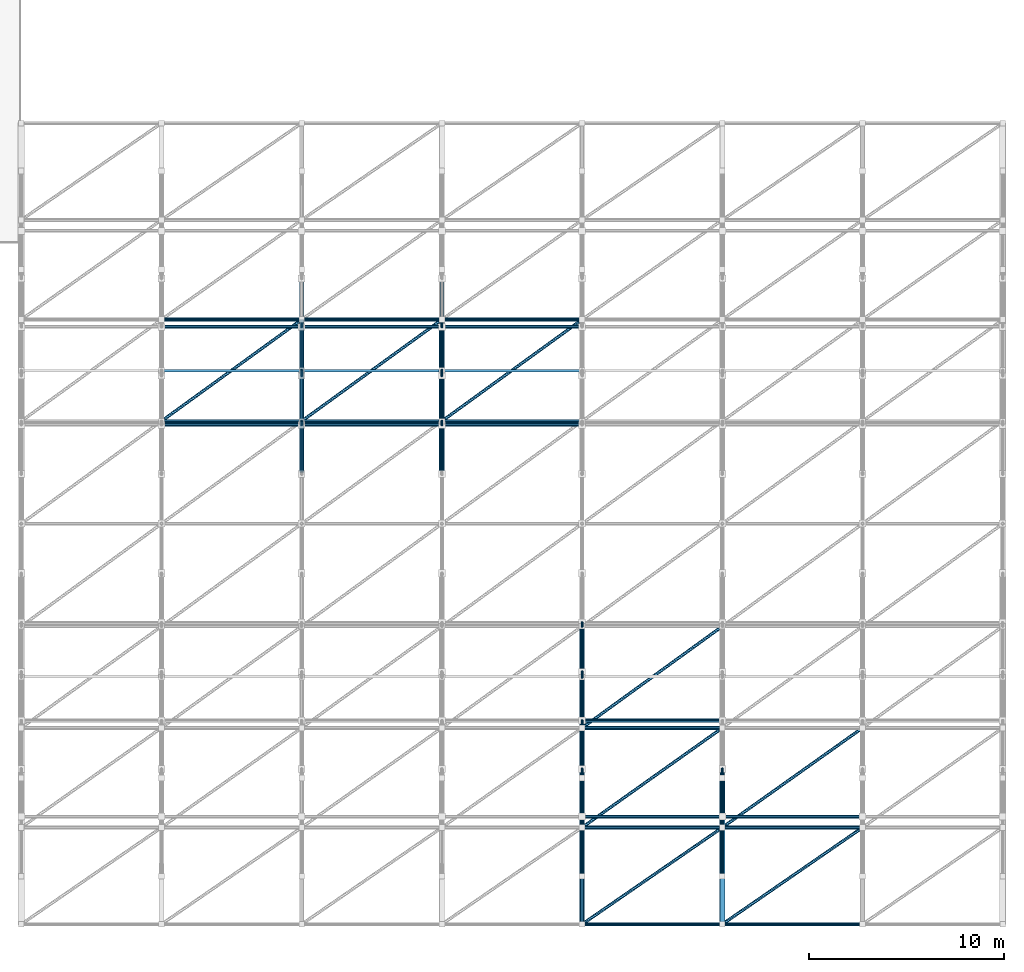
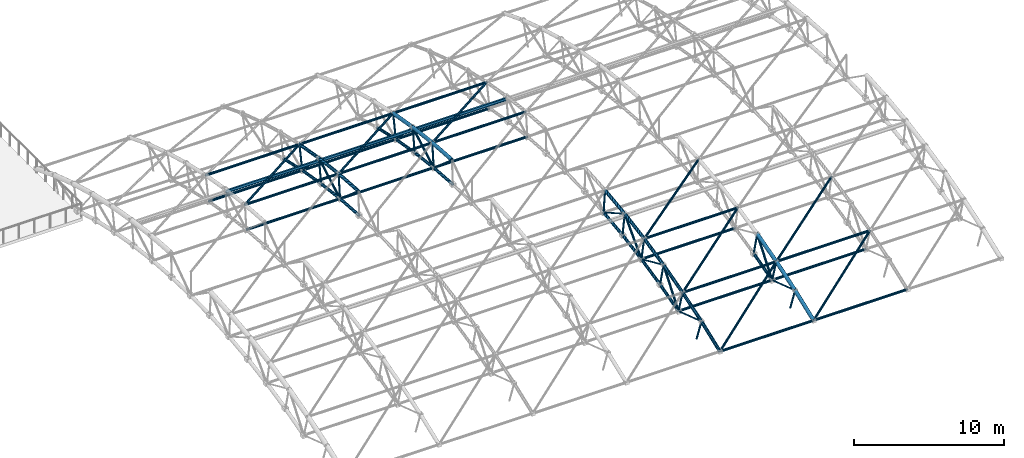
# One storey, part 17 of 41: 87 members.
"""IFC4 building model written with IfcOpenShell, lengths in metres."""

import ifcopenshell
import ifcopenshell.guid

model = None  # the IFC model being written
_history = None  # IfcOwnerHistory: only IFC2X3 demands one
_inside = {}  # id of a spatial element -> (the spatial element, [elements in it])
_under = {}  # id of a project, library or spatial element -> (it, [spatial elements below it])
_declared = {}  # id of a project -> (the project, [libraries it declares])
_typed = {}  # id of a type object -> (the type object, [elements of that type])
_made_of = {}  # id of a material, layer set ... -> (it, [elements and type objects made of it])


def new_model(schema):
    """Start an empty IFC model of exactly this schema.

    Asked for "IFC4X3", IfcOpenShell would pick the latest addendum, in which some entities
    have other attributes; the version numbers below select the first issue.
    IFC2X3 requires an IfcOwnerHistory on every rooted entity: one is made here for all.
    """
    global model, _history
    if schema == "IFC4X3":
        model = ifcopenshell.file(schema_version=(4, 3, 0, 0))
    else:
        model = ifcopenshell.file(schema=schema)
    _inside.clear()
    _under.clear()
    _declared.clear()
    _typed.clear()
    _made_of.clear()
    _history = None
    if model.schema == "IFC2X3":
        org = make("IfcOrganization", Name="unknown")
        user = make(
            "IfcPersonAndOrganization",
            ThePerson=make("IfcPerson", FamilyName="unknown"),
            TheOrganization=org,
        )
        app = make(
            "IfcApplication",
            ApplicationDeveloper=org,
            Version="unknown",
            ApplicationFullName="unknown",
            ApplicationIdentifier="unknown",
        )
        _history = make(
            "IfcOwnerHistory",
            OwningUser=user,
            OwningApplication=app,
            ChangeAction="ADDED",
            CreationDate=0,
        )
    return model


def make(cls, **values):
    """One entity of the class cls with the attributes given. An attribute that is None is left unset."""
    return model.create_entity(
        cls, **{name: value for name, value in values.items() if value is not None}
    )


def rooted(cls, **values):
    """An entity with a GlobalId (a new one), such as an element, a storey or a relation."""
    return make(cls, GlobalId=ifcopenshell.guid.new(), OwnerHistory=_history, **values)


def si_unit(unit_type, name, prefix=None):
    """IfcSIUnit, for example si_unit("LENGTHUNIT", "METRE", prefix="MILLI")."""
    return make("IfcSIUnit", UnitType=unit_type, Prefix=prefix, Name=name)


def assignment(units):
    """IfcUnitAssignment: the units of a project."""
    return None if units is None else make("IfcUnitAssignment", Units=units)


def point(xyz):
    """IfcCartesianPoint."""
    return None if xyz is None else make("IfcCartesianPoint", Coordinates=xyz)


def direction(xyz):
    """IfcDirection."""
    return None if xyz is None else make("IfcDirection", DirectionRatios=xyz)


def frame(location, z_axis=None, x_axis=None):
    """IfcAxis2Placement3D, a coordinate frame: its origin and axes. An axis left out is left unset."""
    return make(
        "IfcAxis2Placement3D",
        Location=point(location),
        Axis=direction(z_axis),
        RefDirection=direction(x_axis),
    )


def frame_2d(location, x_axis=None):
    """IfcAxis2Placement2D, a coordinate frame in the plane: its origin and x axis."""
    return make(
        "IfcAxis2Placement2D", Location=point(location), RefDirection=direction(x_axis)
    )


def origin():
    """The frame at (0, 0, 0) with its axes left unset."""
    return frame((0.0, 0.0, 0.0))


def origin_2d():
    """The frame at (0, 0) in the plane with its x axis left unset."""
    return frame_2d((0.0, 0.0))


def place(relative_to, where):
    """IfcLocalPlacement: puts the frame where relative to a parent placement (None: the world)."""
    return make(
        "IfcLocalPlacement", PlacementRelTo=relative_to, RelativePlacement=where
    )


def context(
    kind, dimensions, precision=None, world=None, true_north=None, identifier=None
):
    """IfcGeometricRepresentationContext, for example the 3D "Model" context."""
    return make(
        "IfcGeometricRepresentationContext",
        ContextIdentifier=identifier,
        ContextType=kind,
        CoordinateSpaceDimension=dimensions,
        Precision=precision,
        WorldCoordinateSystem=world,
        TrueNorth=true_north,
    )


def subcontext(parent, identifier, kind, view, scale=None):
    """IfcGeometricRepresentationSubContext, for example "Body" below "Model"."""
    return make(
        "IfcGeometricRepresentationSubContext",
        ContextIdentifier=identifier,
        ContextType=kind,
        ParentContext=parent,
        TargetScale=scale,
        TargetView=view,
    )


def project(units=None, contexts=None):
    """IfcProject with its units and contexts."""
    return rooted(
        "IfcProject",
        Name="project",
        RepresentationContexts=contexts,
        UnitsInContext=assignment(units),
    )


def spatial(cls, under=None, at=None, **own):
    """A site, building, storey or space (cls), placed at a placement, below another one or the project."""
    s = rooted(cls, ObjectPlacement=at, **own)
    if under is not None:
        _under.setdefault(under.id(), (under, []))[1].append(s)
    return s


def profile(cls, at=None, kind="AREA", **sizes):
    """A parametric profile (cls). Its sizes go by their IFC names, for example OverallWidth=200.0."""
    return make(cls, ProfileType=kind, Position=at, **sizes)


def hollow_circle(**sizes):
    """IfcCircleHollowProfileDef."""
    return profile("IfcCircleHollowProfileDef", **sizes)


def i_section(**sizes):
    """IfcIShapeProfileDef."""
    return profile("IfcIShapeProfileDef", **sizes)


def extrude(swept, where, along, depth):
    """IfcExtrudedAreaSolid: the profile swept, set in the frame where, extruded along a direction by depth."""
    return make(
        "IfcExtrudedAreaSolid",
        SweptArea=swept,
        Position=where,
        ExtrudedDirection=direction(along),
        Depth=depth,
    )


def shape(context_of_items, identifier, shape_type, items):
    """IfcShapeRepresentation: the items that make up one representation, for example the "Body"."""
    return make(
        "IfcShapeRepresentation",
        ContextOfItems=context_of_items,
        RepresentationIdentifier=identifier,
        RepresentationType=shape_type,
        Items=items,
    )


def material(Name=None, Category=None):
    """IfcMaterial."""
    return make("IfcMaterial", Name=Name, Category=Category)


def material_profile(
    of_material, cross_section, Name=None, Category=None, Priority=None
):
    """IfcMaterialProfile: a cross section and its material."""
    return make(
        "IfcMaterialProfile",
        Name=Name,
        Material=of_material,
        Profile=cross_section,
        Priority=Priority,
        Category=Category,
    )


def profile_set(profiles, Name=None, composite=None):
    """IfcMaterialProfileSet."""
    return make(
        "IfcMaterialProfileSet",
        Name=Name,
        MaterialProfiles=profiles,
        CompositeProfile=composite,
    )


def made_of(thing, what):
    """Note that an element or type object is made of a material, layer set ...; save() writes the relation."""
    if what is not None:
        _made_of.setdefault(what.id(), (what, []))[1].append(thing)
    return thing


def type_object(cls, material=None, **own):
    """A type object (cls), such as IfcWallType, which elements share."""
    return made_of(rooted(cls, **own), material)


def element(
    cls,
    number,
    at=None,
    inside=None,
    cuts=None,
    type_object=None,
    material=None,
    context=None,
    identifier="Body",
    shape_type=None,
    held_by="IfcProductDefinitionShape",
    body=None,
    shapes=None,
    **own,
):
    """One element of the class cls, such as IfcWall. Its Tag is "e" and its number.

    at: its placement. inside: the storey or other place that contains it. cuts: it is an
    opening in that element (IfcRelVoidsElement). A single representation is given by context,
    identifier, shape_type and body (its items); several are given by shapes. held_by: the class
    of the entity that holds the representations. save() writes the other relations.
    """
    e = rooted(cls, Tag="e%d" % number, ObjectPlacement=at, **own)
    if body is not None:
        shapes = [shape(context, identifier, shape_type, body)]
    if shapes is not None:
        e.Representation = make(held_by, Representations=shapes)
    if inside is not None:
        _inside.setdefault(inside.id(), (inside, []))[1].append(e)
    if cuts is not None:
        rooted(
            "IfcRelVoidsElement", RelatingBuildingElement=cuts, RelatedOpeningElement=e
        )
    if type_object is not None:
        _typed.setdefault(type_object.id(), (type_object, []))[1].append(e)
    return made_of(e, material)


def aggregate(whole, parts):
    """IfcRelAggregates: a whole, such as a stair, and the parts it consists of."""
    return rooted("IfcRelAggregates", RelatingObject=whole, RelatedObjects=parts)


def save(model, path):
    """Write the relations noted so far, then the file.

    IfcRelAggregates (storeys below a building ...), IfcRelContainedInSpatialStructure (elements
    in a storey), IfcRelDefinesByType, IfcRelAssociatesMaterial and IfcRelDeclares: one each for
    every whole, place, type object, material and project.
    """
    for whole, parts in _under.values():
        aggregate(whole, parts)
    for where, things in _inside.values():
        rooted(
            "IfcRelContainedInSpatialStructure",
            RelatedElements=things,
            RelatingStructure=where,
        )
    for kind, things in _typed.values():
        rooted("IfcRelDefinesByType", RelatedObjects=things, RelatingType=kind)
    for what, things in _made_of.values():
        rooted("IfcRelAssociatesMaterial", RelatedObjects=things, RelatingMaterial=what)
    for by, libraries in _declared.values():
        rooted("IfcRelDeclares", RelatingContext=by, RelatedDefinitions=libraries)
    model.write(path)


model = new_model("IFC4")

# Units and contexts
model_context = context("Model", 3, precision=1e-05, world=origin(), true_north=direction((0.0, 1.0)))
body_context = subcontext(model_context, "Body", "Model", "MODEL_VIEW")
ifc_project = project(units=[si_unit("LENGTHUNIT", "METRE"), si_unit("AREAUNIT", "SQUARE_METRE"), si_unit("VOLUMEUNIT", "CUBIC_METRE"), si_unit("PLANEANGLEUNIT", "RADIAN"), si_unit("MASSUNIT", "GRAM", prefix="KILO")], contexts=[model_context])

# Site, building, storey
site_placement = place(None, origin())
site = spatial("IfcSite", under=ifc_project, at=site_placement, CompositionType="ELEMENT")
building_placement = place(site_placement, origin())
building = spatial("IfcBuilding", under=site, at=building_placement, Name="Malvenik Polytechnic", CompositionType="ELEMENT")
storey_placement = place(building_placement, frame((0.0, 0.0, 17.699951171875)))
storey = spatial("IfcBuildingStorey", under=building, at=storey_placement, Name="L04", CompositionType="ELEMENT", Elevation=17.699951171875)

# Members
ifc_material_1 = material(Name="Steel S355J2H", Category="steel")
ifc_material_profile_1 = material_profile(ifc_material_1, hollow_circle(Radius=0.109619140625, WallThickness=0.010009765625, at=origin_2d()), Name="CHS 219.1x10.0")
ifc_profile_set_1 = profile_set([ifc_material_profile_1], Name="Steel S355J2H")
member_type_1 = type_object("IfcMemberType", Name="STR-MEM-SFB-02", PredefinedType="CHORD", material=ifc_profile_set_1)
member_1_placement = place(storey_placement, frame((156.0, 67.3466796875, 2.34130859375), z_axis=(0.0, 0.997310938626, -0.073286367738), x_axis=(-1.0, 0.0, 0.0)))
element("IfcMember", 1, at=member_1_placement, inside=storey, type_object=member_type_1, Name="Space-Frame Tube SFB-02 STR-SF-BC-0318", PredefinedType="CHORD", context=body_context, shape_type="SweptSolid", body=[
    extrude(hollow_circle(Radius=0.109619140625, WallThickness=0.010009765625, at=origin_2d()), origin(), (0.0, 0.0, 1.0), 2.53515625),
])
for number, where, z_axis, x_axis, name in (
    (2, (156.0, 69.883056640625, 2.15478515625), (0.0, 0.992529141181, -0.122007802646), (-1.0, 0.0, 0.0), "Space-Frame Tube SFB-02 STR-SF-BC-0320"),
    (3, (156.0, 72.4072265625, 1.84423828125), (0.0, 0.985384405638, -0.170345452318), (-1.0, 0.0, 0.0), "Space-Frame Tube SFB-02 STR-SF-BC-0322"),
):
    element("IfcMember", number, at=place(storey_placement, frame(where, z_axis=z_axis, x_axis=x_axis)), inside=storey, type_object=member_type_1, Name=name, PredefinedType="CHORD", context=body_context, shape_type="SweptSolid", body=[
        extrude(hollow_circle(Radius=0.109619140625, WallThickness=0.010009765625, at=origin_2d()), origin(), (0.0, 0.0, 1.0), 2.535400390625),
    ])
for number, where, z_axis, x_axis, name in (
    (4, (156.0, 74.913330078125, 1.41064453125), (0.0, 0.975880203116, -0.21830673184), (-1.0, 0.0, 0.0), "Space-Frame Tube SFB-02 STR-SF-BC-0324"),
    (5, (170.39990234375, 49.7607421875, 0.181396484375), (0.0, 0.96402666338, 0.265805553539), (-1.0, 0.0, 0.0), "Space-Frame Tube SFB-02 STR-SF-BC-0498"),
):
    element("IfcMember", number, at=place(storey_placement, frame(where, z_axis=z_axis, x_axis=x_axis)), inside=storey, type_object=member_type_1, Name=name, PredefinedType="CHORD", context=body_context, shape_type="SweptSolid", body=[
        extrude(hollow_circle(Radius=0.109619140625, WallThickness=0.010009765625, at=origin_2d()), origin(), (0.0, 0.0, 1.0), 2.53515625),
    ])
ifc_material_profile_2 = material_profile(ifc_material_1, hollow_circle(Radius=0.109619140625, WallThickness=0.008056640625, at=origin_2d()), Name="CHS 219.1x8.0")
ifc_profile_set_2 = profile_set([ifc_material_profile_2], Name="Steel S355J2H")
member_type_2 = type_object("IfcMemberType", Name="STR-MEM-SFB-03", PredefinedType="CHORD", material=ifc_profile_set_2)
member_2_placement = place(storey_placement, frame((148.800048828125, 67.3466796875, 2.34130859375), z_axis=(0.0, 0.997310938626, -0.073286367738), x_axis=(-1.0, 0.0, 0.0)))
element("IfcMember", 6, at=member_2_placement, inside=storey, type_object=member_type_2, Name="Space-Frame Tube SFB-03 STR-SF-BC-0221", PredefinedType="CHORD", context=body_context, shape_type="SweptSolid", body=[
    extrude(hollow_circle(Radius=0.109619140625, WallThickness=0.008056640625, at=origin_2d()), origin(), (0.0, 0.0, 1.0), 2.53515625),
])
for number, where, z_axis, x_axis, name in (
    (7, (148.800048828125, 69.883056640625, 2.15478515625), (0.0, 0.992529141181, -0.122007802646), (-1.0, 0.0, 0.0), "Space-Frame Tube SFB-03 STR-SF-BC-0223"),
    (8, (148.800048828125, 72.4072265625, 1.84423828125), (0.0, 0.985384405638, -0.170345452318), (-1.0, 0.0, 0.0), "Space-Frame Tube SFB-03 STR-SF-BC-0225"),
):
    element("IfcMember", number, at=place(storey_placement, frame(where, z_axis=z_axis, x_axis=x_axis)), inside=storey, type_object=member_type_2, Name=name, PredefinedType="CHORD", context=body_context, shape_type="SweptSolid", body=[
        extrude(hollow_circle(Radius=0.109619140625, WallThickness=0.008056640625, at=origin_2d()), origin(), (0.0, 0.0, 1.0), 2.535400390625),
    ])
for number, where, z_axis, x_axis, name in (
    (9, (148.800048828125, 74.913330078125, 1.41064453125), (0.0, 0.975880203116, -0.21830673184), (-1.0, 0.0, 0.0), "Space-Frame Tube SFB-03 STR-SF-BC-0227"),
    (10, (163.199951171875, 49.7607421875, 0.181396484375), (0.0, 0.96402666338, 0.265805553539), (-1.0, 0.0, 0.0), "Space-Frame Tube SFB-03 STR-SF-BC-0401"),
    (11, (163.199951171875, 52.21240234375, 0.857177734375), (0.0, 0.975880203116, 0.21830673184), (-1.0, 0.0, 0.0), "Space-Frame Tube SFB-03 STR-SF-BC-0403"),
):
    element("IfcMember", number, at=place(storey_placement, frame(where, z_axis=z_axis, x_axis=x_axis)), inside=storey, type_object=member_type_2, Name=name, PredefinedType="CHORD", context=body_context, shape_type="SweptSolid", body=[
        extrude(hollow_circle(Radius=0.109619140625, WallThickness=0.008056640625, at=origin_2d()), origin(), (0.0, 0.0, 1.0), 2.53515625),
    ])
member_3_placement = place(storey_placement, frame((163.199951171875, 54.6943359375, 1.412353515625), z_axis=(0.0, 0.985387199481, 0.170329290198), x_axis=(-1.0, 0.0, 0.0)))
element("IfcMember", 12, at=member_3_placement, inside=storey, type_object=member_type_2, Name="Space-Frame Tube SFB-03 STR-SF-BC-0405", PredefinedType="CHORD", context=body_context, shape_type="SweptSolid", body=[
    extrude(hollow_circle(Radius=0.109619140625, WallThickness=0.008056640625, at=origin_2d()), origin(), (0.0, 0.0, 1.0), 2.53564453125),
])
member_4_placement = place(storey_placement, frame((163.199951171875, 57.20068359375, 1.845458984375), z_axis=(0.0, 0.992529141181, 0.122007802646), x_axis=(-1.0, 0.0, 0.0)))
element("IfcMember", 13, at=member_4_placement, inside=storey, type_object=member_type_2, Name="Space-Frame Tube SFB-03 STR-SF-BC-0407", PredefinedType="CHORD", context=body_context, shape_type="SweptSolid", body=[
    extrude(hollow_circle(Radius=0.109619140625, WallThickness=0.008056640625, at=origin_2d()), origin(), (0.0, 0.0, 1.0), 2.535400390625),
])
ifc_material_profile_3 = material_profile(ifc_material_1, hollow_circle(Radius=0.084228515625, WallThickness=0.00634765625, at=origin_2d()), Name="CHS 168.3x6.3")
ifc_profile_set_3 = profile_set([ifc_material_profile_3], Name="Steel S355J2H")
member_type_3 = type_object("IfcMemberType", Name="STR-MEM-SFD-02", PredefinedType="BRACE", material=ifc_profile_set_3)
for number, where, z_axis, x_axis, name in (
    (14, (148.800048828125, 69.882568359375, 2.1572265625), (0.0, 0.869477287163, 0.493972921432), (-1.0, 0.0, 0.0), "Space-Frame Tube SFD-02 STR-SF-AD-0282"),
    (15, (156.0, 69.882568359375, 2.1572265625), (0.0, 0.869477287163, 0.493972921432), (-1.0, 0.0, 0.0), "Space-Frame Tube SFD-02 STR-SF-AD-0379"),
    (16, (163.199951171875, 49.75927734375, 0.18359375), (0.0, 0.615336380621, 0.788264637469), (-1.0, 0.0, 0.0), "Space-Frame Tube SFD-02 STR-SF-AD-0468"),
    (17, (163.199951171875, 54.693359375, 1.41455078125), (0.0, 0.689369138423, 0.724410236668), (-1.0, 0.0, 0.0), "Space-Frame Tube SFD-02 STR-SF-AD-0470"),
    (18, (170.39990234375, 49.75927734375, 0.18359375), (0.0, 0.615336380621, 0.788264637469), (-1.0, 0.0, 0.0), "Space-Frame Tube SFD-02 STR-SF-AD-0565"),
):
    element("IfcMember", number, at=place(storey_placement, frame(where, z_axis=z_axis, x_axis=x_axis)), inside=storey, type_object=member_type_3, Name=name, PredefinedType="BRACE", context=body_context, shape_type="SweptSolid", body=[
        extrude(hollow_circle(Radius=0.084228515625, WallThickness=0.00634765625, at=origin_2d()), origin(), (0.0, 0.0, 1.0), 3.218994140625),
    ])
for number, where, z_axis, x_axis, name in (
    (19, (141.603271484375, 70.0693359375, 4.07080078125), (0.806752867448, 0.58453646588, -0.086411405045), (-0.586731110708, 0.80978182477, 0.0), "Space-Frame Tube SFD-02 STR-SF-SD-0852"),
    (20, (148.80322265625, 70.0693359375, 4.07080078125), (0.806752867448, 0.58453646588, -0.086411405045), (-0.586731110708, 0.80978182477, 0.0), "Space-Frame Tube SFD-02 STR-SF-SD-0894"),
    (21, (156.003173828125, 70.0693359375, 4.07080078125), (0.806752867448, 0.58453646588, -0.086411405045), (-0.586731110708, 0.80978182477, 0.0), "Space-Frame Tube SFD-02 STR-SF-SD-0936"),
    (22, (163.203125, 44.23486328125, 0.25341796875), (0.806759679952, 0.556586145395, 0.19837006215), (-0.567871341818, 0.823117330119, 0.0), "Space-Frame Tube SFD-02 STR-SF-SD-0973"),
):
    element("IfcMember", number, at=place(storey_placement, frame(where, z_axis=z_axis, x_axis=x_axis)), inside=storey, type_object=member_type_3, Name=name, PredefinedType="BRACE", context=body_context, shape_type="SweptSolid", body=[
        extrude(hollow_circle(Radius=0.084228515625, WallThickness=0.00634765625, at=origin_2d()), origin(), (0.0, 0.0, 1.0), 8.916748046875),
    ])
member_5_placement = place(storey_placement, frame((163.203125, 49.2021484375, 2.023681640625), z_axis=(0.806764863232, 0.573291793869, 0.143062834223), x_axis=(-0.57925018849, 0.81514981392, 0.0)))
element("IfcMember", 23, at=member_5_placement, inside=storey, type_object=member_type_3, Name="Space-Frame Tube SFD-02 STR-SF-SD-0974", PredefinedType="BRACE", context=body_context, shape_type="SweptSolid", body=[
    extrude(hollow_circle(Radius=0.084228515625, WallThickness=0.00634765625, at=origin_2d()), origin(), (0.0, 0.0, 1.0), 8.91650390625),
])
member_6_placement = place(storey_placement, frame((163.203125, 54.318603515625, 3.30029296875), z_axis=(0.806752867448, 0.58453646588, 0.086411405045), x_axis=(-0.586731110708, 0.80978182477, 0.0)))
element("IfcMember", 24, at=member_6_placement, inside=storey, type_object=member_type_3, Name="Space-Frame Tube SFD-02 STR-SF-SD-0975", PredefinedType="BRACE", context=body_context, shape_type="SweptSolid", body=[
    extrude(hollow_circle(Radius=0.084228515625, WallThickness=0.00634765625, at=origin_2d()), origin(), (0.0, 0.0, 1.0), 8.916748046875),
])
for number, where, z_axis, x_axis, name in (
    (25, (170.4033203125, 44.23486328125, 0.25341796875), (0.80675012012, 0.556598440191, 0.198374444077), (-0.567884399756, 0.823108321252, 0.0), "Space-Frame Tube SFD-02 STR-SF-SD-1015"),
    (26, (170.4033203125, 49.2021484375, 2.023681640625), (0.806755303568, 0.57330445785, 0.143065994473), (-0.57926325146, 0.81514053114, 0.0), "Space-Frame Tube SFD-02 STR-SF-SD-1016"),
):
    element("IfcMember", number, at=place(storey_placement, frame(where, z_axis=z_axis, x_axis=x_axis)), inside=storey, type_object=member_type_3, Name=name, PredefinedType="BRACE", context=body_context, shape_type="SweptSolid", body=[
        extrude(hollow_circle(Radius=0.084228515625, WallThickness=0.00634765625, at=origin_2d()), origin(), (0.0, 0.0, 1.0), 8.91650390625),
    ])
ifc_material_profile_4 = material_profile(ifc_material_1, hollow_circle(Radius=0.06982421875, WallThickness=0.00634765625, at=origin_2d()), Name="CHS 139.7x6.3")
ifc_profile_set_4 = profile_set([ifc_material_profile_4], Name="Steel S355J2H")
member_type_4 = type_object("IfcMemberType", Name="STR-MEM-SFD-03", PredefinedType="BRACE", material=ifc_profile_set_4)
member_7_placement = place(storey_placement, frame((148.800048828125, 69.87939453125, 2.1591796875), z_axis=(0.0, 0.09767529924, 0.995218335803), x_axis=(-1.0, 0.0, 0.0)))
element("IfcMember", 27, at=member_7_placement, inside=storey, type_object=member_type_4, Name="Space-Frame Tube SFD-03 STR-SF-WB-0257", PredefinedType="BRACE", context=body_context, shape_type="SweptSolid", body=[
    extrude(hollow_circle(Radius=0.06982421875, WallThickness=0.00634765625, at=origin_2d()), origin(), (0.0, 0.0, 1.0), 1.917236328125),
])
member_8_placement = place(storey_placement, frame((148.800048828125, 72.40380859375, 1.848876953125), z_axis=(0.0, 0.146197883622, 0.989255365831), x_axis=(-1.0, 0.0, 0.0)))
element("IfcMember", 28, at=member_8_placement, inside=storey, type_object=member_type_4, Name="Space-Frame Tube SFD-03 STR-SF-WB-0258", PredefinedType="BRACE", context=body_context, shape_type="SweptSolid", body=[
    extrude(hollow_circle(Radius=0.06982421875, WallThickness=0.00634765625, at=origin_2d()), origin(), (0.0, 0.0, 1.0), 1.9169921875),
])
for number, where, z_axis, x_axis, name in (
    (29, (148.800048828125, 74.910400390625, 1.41552734375), (0.0, 0.194328084871, 0.980936590933), (-1.0, 0.0, 0.0), "Space-Frame Tube SFD-03 STR-SF-WB-0259"),
    (30, (156.0, 69.87939453125, 2.1591796875), (0.0, 0.09767529924, 0.995218335803), (-1.0, 0.0, 0.0), "Space-Frame Tube SFD-03 STR-SF-WB-0354"),
):
    element("IfcMember", number, at=place(storey_placement, frame(where, z_axis=z_axis, x_axis=x_axis)), inside=storey, type_object=member_type_4, Name=name, PredefinedType="BRACE", context=body_context, shape_type="SweptSolid", body=[
        extrude(hollow_circle(Radius=0.06982421875, WallThickness=0.00634765625, at=origin_2d()), origin(), (0.0, 0.0, 1.0), 1.917236328125),
    ])
member_9_placement = place(storey_placement, frame((156.0, 72.40380859375, 1.848876953125), z_axis=(0.0, 0.146197883622, 0.989255365831), x_axis=(-1.0, 0.0, 0.0)))
element("IfcMember", 31, at=member_9_placement, inside=storey, type_object=member_type_4, Name="Space-Frame Tube SFD-03 STR-SF-WB-0355", PredefinedType="BRACE", context=body_context, shape_type="SweptSolid", body=[
    extrude(hollow_circle(Radius=0.06982421875, WallThickness=0.00634765625, at=origin_2d()), origin(), (0.0, 0.0, 1.0), 1.9169921875),
])
member_10_placement = place(storey_placement, frame((156.0, 74.910400390625, 1.41552734375), z_axis=(0.0, 0.194328084871, 0.980936590933), x_axis=(-1.0, 0.0, 0.0)))
element("IfcMember", 32, at=member_10_placement, inside=storey, type_object=member_type_4, Name="Space-Frame Tube SFD-03 STR-SF-WB-0356", PredefinedType="BRACE", context=body_context, shape_type="SweptSolid", body=[
    extrude(hollow_circle(Radius=0.06982421875, WallThickness=0.00634765625, at=origin_2d()), origin(), (0.0, 0.0, 1.0), 1.917236328125),
])
member_11_placement = place(storey_placement, frame((163.199951171875, 47.339599609375, -0.61083984375), z_axis=(0.0, -0.335836148318, 0.941920422054), x_axis=(1.0, 0.0, 0.0)))
element("IfcMember", 33, at=member_11_placement, inside=storey, type_object=member_type_4, Name="Space-Frame Tube SFD-03 STR-SF-WB-0442", PredefinedType="BRACE", context=body_context, shape_type="SweptSolid", body=[
    extrude(hollow_circle(Radius=0.06982421875, WallThickness=0.00634765625, at=origin_2d()), origin(), (0.0, 0.0, 1.0), 1.9169921875),
])
member_12_placement = place(storey_placement, frame((163.199951171875, 49.755615234375, 0.18408203125), z_axis=(0.0, -0.289204975311, 0.957267194808), x_axis=(1.0, 0.0, 0.0)))
element("IfcMember", 34, at=member_12_placement, inside=storey, type_object=member_type_4, Name="Space-Frame Tube SFD-03 STR-SF-WB-0443", PredefinedType="BRACE", context=body_context, shape_type="SweptSolid", body=[
    extrude(hollow_circle(Radius=0.06982421875, WallThickness=0.00634765625, at=origin_2d()), origin(), (0.0, 0.0, 1.0), 1.917236328125),
])
member_13_placement = place(storey_placement, frame((163.199951171875, 52.20751953125, 0.8603515625), z_axis=(0.0, -0.242116055397, 0.970247296167), x_axis=(1.0, 0.0, 0.0)))
element("IfcMember", 35, at=member_13_placement, inside=storey, type_object=member_type_4, Name="Space-Frame Tube SFD-03 STR-SF-WB-0444", PredefinedType="BRACE", context=body_context, shape_type="SweptSolid", body=[
    extrude(hollow_circle(Radius=0.06982421875, WallThickness=0.00634765625, at=origin_2d()), origin(), (0.0, 0.0, 1.0), 1.9169921875),
])
member_14_placement = place(storey_placement, frame((163.199951171875, 54.689697265625, 1.41552734375), z_axis=(0.0, -0.194328084871, 0.980936590933), x_axis=(1.0, 0.0, 0.0)))
element("IfcMember", 36, at=member_14_placement, inside=storey, type_object=member_type_4, Name="Space-Frame Tube SFD-03 STR-SF-WB-0445", PredefinedType="BRACE", context=body_context, shape_type="SweptSolid", body=[
    extrude(hollow_circle(Radius=0.06982421875, WallThickness=0.00634765625, at=origin_2d()), origin(), (0.0, 0.0, 1.0), 1.917236328125),
])
member_15_placement = place(storey_placement, frame((163.199951171875, 57.196044921875, 1.848876953125), z_axis=(0.0, -0.146197883622, 0.989255365831), x_axis=(1.0, 0.0, 0.0)))
element("IfcMember", 37, at=member_15_placement, inside=storey, type_object=member_type_4, Name="Space-Frame Tube SFD-03 STR-SF-WB-0446", PredefinedType="BRACE", context=body_context, shape_type="SweptSolid", body=[
    extrude(hollow_circle(Radius=0.06982421875, WallThickness=0.00634765625, at=origin_2d()), origin(), (0.0, 0.0, 1.0), 1.9169921875),
])
member_16_placement = place(storey_placement, frame((163.199951171875, 59.720703125, 2.1591796875), z_axis=(0.0, -0.09767529924, 0.995218335803), x_axis=(1.0, 0.0, 0.0)))
element("IfcMember", 38, at=member_16_placement, inside=storey, type_object=member_type_4, Name="Space-Frame Tube SFD-03 STR-SF-WB-0447", PredefinedType="BRACE", context=body_context, shape_type="SweptSolid", body=[
    extrude(hollow_circle(Radius=0.06982421875, WallThickness=0.00634765625, at=origin_2d()), origin(), (0.0, 0.0, 1.0), 1.917236328125),
])
member_17_placement = place(storey_placement, frame((170.39990234375, 47.339599609375, -0.61083984375), z_axis=(0.0, -0.335836148318, 0.941920422054), x_axis=(1.0, 0.0, 0.0)))
element("IfcMember", 39, at=member_17_placement, inside=storey, type_object=member_type_4, Name="Space-Frame Tube SFD-03 STR-SF-WB-0539", PredefinedType="BRACE", context=body_context, shape_type="SweptSolid", body=[
    extrude(hollow_circle(Radius=0.06982421875, WallThickness=0.00634765625, at=origin_2d()), origin(), (0.0, 0.0, 1.0), 1.9169921875),
])
member_18_placement = place(storey_placement, frame((170.39990234375, 49.755615234375, 0.18408203125), z_axis=(0.0, -0.289204975311, 0.957267194808), x_axis=(1.0, 0.0, 0.0)))
element("IfcMember", 40, at=member_18_placement, inside=storey, type_object=member_type_4, Name="Space-Frame Tube SFD-03 STR-SF-WB-0540", PredefinedType="BRACE", context=body_context, shape_type="SweptSolid", body=[
    extrude(hollow_circle(Radius=0.06982421875, WallThickness=0.00634765625, at=origin_2d()), origin(), (0.0, 0.0, 1.0), 1.917236328125),
])
member_19_placement = place(storey_placement, frame((170.39990234375, 52.20751953125, 0.8603515625), z_axis=(0.0, -0.242116055397, 0.970247296167), x_axis=(1.0, 0.0, 0.0)))
element("IfcMember", 41, at=member_19_placement, inside=storey, type_object=member_type_4, Name="Space-Frame Tube SFD-03 STR-SF-WB-0541", PredefinedType="BRACE", context=body_context, shape_type="SweptSolid", body=[
    extrude(hollow_circle(Radius=0.06982421875, WallThickness=0.00634765625, at=origin_2d()), origin(), (0.0, 0.0, 1.0), 1.9169921875),
])
ifc_material_profile_5 = material_profile(ifc_material_1, hollow_circle(Radius=0.05712890625, WallThickness=0.0048828125, at=origin_2d()), Name="CHS 114.3x5.0")
ifc_profile_set_5 = profile_set([ifc_material_profile_5], Name="Steel S355J2H")
member_type_5 = type_object("IfcMemberType", Name="STR-MEM-SFD-04", PredefinedType="BRACE", material=ifc_profile_set_5)
for number, where, z_axis, x_axis, name in (
    (42, (148.800048828125, 67.439697265625, 4.26171875), (0.0, 0.756869052153, -0.653566552), (-1.0, 0.0, 0.0), "Space-Frame Tube SFD-04 STR-SF-AD-0281"),
    (43, (148.800048828125, 72.6875, 3.746337890625), (0.0, 0.689408937301, -0.724372360854), (-1.0, 0.0, 0.0), "Space-Frame Tube SFD-04 STR-SF-AD-0283"),
    (44, (156.0, 67.439697265625, 4.26171875), (0.0, 0.756869052153, -0.653566552), (-1.0, 0.0, 0.0), "Space-Frame Tube SFD-04 STR-SF-AD-0378"),
    (45, (156.0, 72.6875, 3.746337890625), (0.0, 0.689408937301, -0.724372360854), (-1.0, 0.0, 0.0), "Space-Frame Tube SFD-04 STR-SF-AD-0380"),
):
    element("IfcMember", number, at=place(storey_placement, frame(where, z_axis=z_axis, x_axis=x_axis)), inside=storey, type_object=member_type_5, Name=name, PredefinedType="BRACE", context=body_context, shape_type="SweptSolid", body=[
        extrude(hollow_circle(Radius=0.05712890625, WallThickness=0.0048828125, at=origin_2d()), origin(), (0.0, 0.0, 1.0), 3.218994140625),
    ])
member_20_placement = place(storey_placement, frame((163.199951171875, 46.698486328125, 1.197265625), z_axis=(0.0, 0.948918160611, -0.315522304224), x_axis=(-1.0, 0.0, 0.0)))
element("IfcMember", 46, at=member_20_placement, inside=storey, type_object=member_type_5, Name="Space-Frame Tube SFD-04 STR-SF-AD-0467", PredefinedType="BRACE", context=body_context, shape_type="SweptSolid", body=[
    extrude(hollow_circle(Radius=0.05712890625, WallThickness=0.0048828125, at=origin_2d()), origin(), (0.0, 0.0, 1.0), 3.21875),
])
for number, where, z_axis, x_axis, name in (
    (47, (163.199951171875, 51.74609375, 2.722412109375), (0.0, 0.913567424865, -0.406687300301), (-1.0, 0.0, 0.0), "Space-Frame Tube SFD-04 STR-SF-AD-0469"),
    (48, (163.199951171875, 56.918701171875, 3.747314453125), (0.0, 0.869477287163, -0.493972921432), (-1.0, 0.0, 0.0), "Space-Frame Tube SFD-04 STR-SF-AD-0471"),
):
    element("IfcMember", number, at=place(storey_placement, frame(where, z_axis=z_axis, x_axis=x_axis)), inside=storey, type_object=member_type_5, Name=name, PredefinedType="BRACE", context=body_context, shape_type="SweptSolid", body=[
        extrude(hollow_circle(Radius=0.05712890625, WallThickness=0.0048828125, at=origin_2d()), origin(), (0.0, 0.0, 1.0), 3.218994140625),
    ])
member_21_placement = place(storey_placement, frame((170.39990234375, 46.698486328125, 1.197265625), z_axis=(0.0, 0.948918160611, -0.315522304224), x_axis=(-1.0, 0.0, 0.0)))
element("IfcMember", 49, at=member_21_placement, inside=storey, type_object=member_type_5, Name="Space-Frame Tube SFD-04 STR-SF-AD-0564", PredefinedType="BRACE", context=body_context, shape_type="SweptSolid", body=[
    extrude(hollow_circle(Radius=0.05712890625, WallThickness=0.0048828125, at=origin_2d()), origin(), (0.0, 0.0, 1.0), 3.21875),
])
ifc_material_profile_6 = material_profile(ifc_material_1, hollow_circle(Radius=0.096923828125, WallThickness=0.008056640625, at=origin_2d()), Name="CHS 193.7x8.0")
ifc_profile_set_6 = profile_set([ifc_material_profile_6], Name="Steel S355J2H")
member_type_6 = type_object("IfcMemberType", Name="STR-MEM-SFL-01", PredefinedType="CHORD", material=ifc_profile_set_6)
for number, where, z_axis, x_axis, name in (
    (50, (141.60400390625, 69.87890625, 2.1552734375), (1.0, 0.0, 0.0), (0.0, 1.0, 0.0), "Space-Frame Tube SFL-01 STR-SF-LB-0833"),
    (51, (141.60400390625, 70.06689453125, 4.071044921875), (1.0, 0.0, 0.0), (0.0, 1.0, 0.0), "Space-Frame Tube SFL-01 STR-SF-LT-0834"),
    (52, (141.60400390625, 74.909423828125, 1.41162109375), (1.0, 0.0, 0.0), (0.0, 1.0, 0.0), "Space-Frame Tube SFL-01 STR-SF-LB-0835"),
    (53, (141.60400390625, 75.28369140625, 3.300048828125), (1.0, 0.0, 0.0), (0.0, 1.0, 0.0), "Space-Frame Tube SFL-01 STR-SF-LT-0836"),
):
    element("IfcMember", number, at=place(storey_placement, frame(where, z_axis=z_axis, x_axis=x_axis)), inside=storey, type_object=member_type_6, Name=name, PredefinedType="CHORD", context=body_context, shape_type="SweptSolid", body=[
        extrude(hollow_circle(Radius=0.096923828125, WallThickness=0.008056640625, at=origin_2d()), origin(), (0.0, 0.0, 1.0), 7.19189453125),
    ])
for number, where, z_axis, x_axis, name in (
    (54, (148.803955078125, 69.87890625, 2.1552734375), (1.0, 0.0, 0.0), (0.0, 1.0, 0.0), "Space-Frame Tube SFL-01 STR-SF-LB-0875"),
    (55, (148.803955078125, 70.06689453125, 4.071044921875), (1.0, 0.0, 0.0), (0.0, 1.0, 0.0), "Space-Frame Tube SFL-01 STR-SF-LT-0876"),
    (56, (148.803955078125, 74.909423828125, 1.41162109375), (1.0, 0.0, 0.0), (0.0, 1.0, 0.0), "Space-Frame Tube SFL-01 STR-SF-LB-0877"),
    (57, (148.803955078125, 75.28369140625, 3.300048828125), (1.0, 0.0, 0.0), (0.0, 1.0, 0.0), "Space-Frame Tube SFL-01 STR-SF-LT-0878"),
    (58, (156.00390625, 69.87890625, 2.1552734375), (1.0, 0.0, 0.0), (0.0, 1.0, 0.0), "Space-Frame Tube SFL-01 STR-SF-LB-0917"),
    (59, (156.00390625, 70.06689453125, 4.071044921875), (1.0, 0.0, 0.0), (0.0, 1.0, 0.0), "Space-Frame Tube SFL-01 STR-SF-LT-0918"),
    (60, (156.00390625, 74.909423828125, 1.41162109375), (1.0, 0.0, 0.0), (0.0, 1.0, 0.0), "Space-Frame Tube SFL-01 STR-SF-LB-0919"),
    (61, (156.00390625, 75.28369140625, 3.300048828125), (1.0, 0.0, 0.0), (0.0, 1.0, 0.0), "Space-Frame Tube SFL-01 STR-SF-LT-0920"),
):
    element("IfcMember", number, at=place(storey_placement, frame(where, z_axis=z_axis, x_axis=x_axis)), inside=storey, type_object=member_type_6, Name=name, PredefinedType="CHORD", context=body_context, shape_type="SweptSolid", body=[
        extrude(hollow_circle(Radius=0.096923828125, WallThickness=0.008056640625, at=origin_2d()), origin(), (0.0, 0.0, 1.0), 7.192138671875),
    ])
for number, where, z_axis, x_axis, name in (
    (62, (163.2041015625, 44.232666015625, 0.25244140625), (1.0, 0.0, 0.0), (0.0, 1.0, 0.0), "Space-Frame Tube SFL-01 STR-SF-LT-0950"),
    (63, (163.2041015625, 49.7568359375, 0.180419921875), (1.0, 0.0, 0.0), (0.0, 1.0, 0.0), "Space-Frame Tube SFL-01 STR-SF-LB-0951"),
    (64, (163.2041015625, 49.199951171875, 2.02294921875), (1.0, 0.0, 0.0), (0.0, 1.0, 0.0), "Space-Frame Tube SFL-01 STR-SF-LT-0952"),
    (65, (163.2041015625, 54.6904296875, 1.41162109375), (1.0, 0.0, 0.0), (0.0, 1.0, 0.0), "Space-Frame Tube SFL-01 STR-SF-LB-0953"),
    (66, (163.2041015625, 54.31640625, 3.300048828125), (1.0, 0.0, 0.0), (0.0, 1.0, 0.0), "Space-Frame Tube SFL-01 STR-SF-LT-0954"),
    (67, (170.404052734375, 44.232666015625, 0.25244140625), (1.0, 0.0, 0.0), (0.0, 1.0, 0.0), "Space-Frame Tube SFL-01 STR-SF-LT-0992"),
    (68, (170.404052734375, 49.7568359375, 0.180419921875), (1.0, 0.0, 0.0), (0.0, 1.0, 0.0), "Space-Frame Tube SFL-01 STR-SF-LB-0993"),
    (69, (170.404052734375, 49.199951171875, 2.02294921875), (1.0, 0.0, 0.0), (0.0, 1.0, 0.0), "Space-Frame Tube SFL-01 STR-SF-LT-0994"),
):
    element("IfcMember", number, at=place(storey_placement, frame(where, z_axis=z_axis, x_axis=x_axis)), inside=storey, type_object=member_type_6, Name=name, PredefinedType="CHORD", context=body_context, shape_type="SweptSolid", body=[
        extrude(hollow_circle(Radius=0.096923828125, WallThickness=0.008056640625, at=origin_2d()), origin(), (0.0, 0.0, 1.0), 7.19189453125),
    ])
ifc_material_2 = material(Name="Steel S355", Category="steel")
ifc_material_profile_7 = material_profile(ifc_material_2, i_section(OverallWidth=0.1201171875, OverallDepth=0.239990234375, WebThickness=0.006103515625, FlangeThickness=0.009765625, FilletRadius=0.014892578125, at=origin_2d()), Name="IPE 240")
ifc_profile_set_7 = profile_set([ifc_material_profile_7], Name="Steel S355")
member_type_7 = type_object("IfcMemberType", Name="STR-MEM-SFP-01", PredefinedType="PURLIN", material=ifc_profile_set_7)
for number, where, z_axis, x_axis, name in (
    (70, (141.6201171875, 72.65478515625, 3.54638671875), (1.0, 0.0, 0.0), (0.0, 1.0, 0.0), "Vault Roof Purlin SFP-01 #859"),
    (71, (148.820068359375, 72.65478515625, 3.54638671875), (1.0, 0.0, 0.0), (0.0, 1.0, 0.0), "Vault Roof Purlin SFP-01 #901"),
    (72, (156.02001953125, 72.65478515625, 3.54638671875), (1.0, 0.0, 0.0), (0.0, 1.0, 0.0), "Vault Roof Purlin SFP-01 #943"),
):
    element("IfcMember", number, at=place(storey_placement, frame(where, z_axis=z_axis, x_axis=x_axis)), inside=storey, type_object=member_type_7, Name=name, PredefinedType="PURLIN", context=body_context, shape_type="SweptSolid", body=[
        extrude(i_section(OverallWidth=0.1201171875, OverallDepth=0.239990234375, WebThickness=0.006103515625, FlangeThickness=0.009765625, FilletRadius=0.014892578125, at=origin_2d()), origin(), (0.0, 0.0, 1.0), 7.159912109375),
    ])
ifc_material_profile_8 = material_profile(ifc_material_1, hollow_circle(Radius=0.136474609375, WallThickness=0.012451171875, at=origin_2d()), Name="CHS 273.0x12.5")
ifc_profile_set_8 = profile_set([ifc_material_profile_8], Name="Steel S355J2H")
member_type_8 = type_object("IfcMemberType", Name="STR-MEM-SFT-02", PredefinedType="CHORD", material=ifc_profile_set_8)
for number, where, z_axis, x_axis, name in (
    (73, (156.0, 67.440673828125, 4.26416015625), (0.0, 0.997306127173, -0.073351814586), (-1.0, 0.0, 0.0), "Space-Frame Tube SFT-02 STR-SF-TC-0319"),
    (74, (156.0, 70.071044921875, 4.070556640625), (0.0, 0.99253004874, -0.122000419462), (-1.0, 0.0, 0.0), "Space-Frame Tube SFT-02 STR-SF-TC-0321"),
    (75, (156.0, 72.688720703125, 3.74853515625), (0.0, 0.985379595625, -0.170373274095), (-1.0, 0.0, 0.0), "Space-Frame Tube SFT-02 STR-SF-TC-0323"),
):
    element("IfcMember", number, at=place(storey_placement, frame(where, z_axis=z_axis, x_axis=x_axis)), inside=storey, type_object=member_type_8, Name=name, PredefinedType="CHORD", context=body_context, shape_type="SweptSolid", body=[
        extrude(hollow_circle(Radius=0.136474609375, WallThickness=0.012451171875, at=origin_2d()), origin(), (0.0, 0.0, 1.0), 2.62939453125),
    ])
member_22_placement = place(storey_placement, frame((170.39990234375, 44.236328125, 0.25390625), z_axis=(0.0, 0.93343650429, 0.358742654921), x_axis=(-1.0, 0.0, 0.0)))
element("IfcMember", 76, at=member_22_placement, inside=storey, type_object=member_type_8, Name="Space-Frame Tube SFT-02 STR-SF-TC-0495", PredefinedType="CHORD", context=body_context, shape_type="SweptSolid", body=[
    extrude(hollow_circle(Radius=0.136474609375, WallThickness=0.012451171875, at=origin_2d()), origin(), (0.0, 0.0, 1.0), 2.629638671875),
])
member_23_placement = place(storey_placement, frame((170.39990234375, 46.698486328125, 1.199951171875), z_axis=(0.0, 0.949901851841, 0.312548351251), x_axis=(-1.0, 0.0, 0.0)))
element("IfcMember", 77, at=member_23_placement, inside=storey, type_object=member_type_8, Name="Space-Frame Tube SFT-02 STR-SF-TC-0497", PredefinedType="CHORD", context=body_context, shape_type="SweptSolid", body=[
    extrude(hollow_circle(Radius=0.136474609375, WallThickness=0.012451171875, at=origin_2d()), origin(), (0.0, 0.0, 1.0), 2.62939453125),
])
member_24_placement = place(storey_placement, frame((170.39990234375, 49.203857421875, 2.024169921875), z_axis=(0.0, 0.964040211151, 0.265756413438), x_axis=(-1.0, 0.0, 0.0)))
element("IfcMember", 78, at=member_24_placement, inside=storey, type_object=member_type_8, Name="Space-Frame Tube SFT-02 STR-SF-TC-0499", PredefinedType="CHORD", context=body_context, shape_type="SweptSolid", body=[
    extrude(hollow_circle(Radius=0.136474609375, WallThickness=0.012451171875, at=origin_2d()), origin(), (0.0, 0.0, 1.0), 2.629150390625),
])
ifc_material_profile_9 = material_profile(ifc_material_1, hollow_circle(Radius=0.122314453125, WallThickness=0.010009765625, at=origin_2d()), Name="CHS 244.5x10.0")
ifc_profile_set_9 = profile_set([ifc_material_profile_9], Name="Steel S355J2H")
member_type_9 = type_object("IfcMemberType", Name="STR-MEM-SFT-03", PredefinedType="CHORD", material=ifc_profile_set_9)
for number, where, z_axis, x_axis, name in (
    (79, (148.800048828125, 67.440673828125, 4.26416015625), (0.0, 0.997306127173, -0.073351814586), (-1.0, 0.0, 0.0), "Space-Frame Tube SFT-03 STR-SF-TC-0222"),
    (80, (148.800048828125, 70.071044921875, 4.070556640625), (0.0, 0.99253004874, -0.122000419462), (-1.0, 0.0, 0.0), "Space-Frame Tube SFT-03 STR-SF-TC-0224"),
    (81, (148.800048828125, 72.688720703125, 3.74853515625), (0.0, 0.985379595625, -0.170373274095), (-1.0, 0.0, 0.0), "Space-Frame Tube SFT-03 STR-SF-TC-0226"),
):
    element("IfcMember", number, at=place(storey_placement, frame(where, z_axis=z_axis, x_axis=x_axis)), inside=storey, type_object=member_type_9, Name=name, PredefinedType="CHORD", context=body_context, shape_type="SweptSolid", body=[
        extrude(hollow_circle(Radius=0.122314453125, WallThickness=0.010009765625, at=origin_2d()), origin(), (0.0, 0.0, 1.0), 2.62939453125),
    ])
member_25_placement = place(storey_placement, frame((163.199951171875, 44.236328125, 0.25390625), z_axis=(0.0, 0.93343650429, 0.358742654921), x_axis=(-1.0, 0.0, 0.0)))
element("IfcMember", 82, at=member_25_placement, inside=storey, type_object=member_type_9, Name="Space-Frame Tube SFT-03 STR-SF-TC-0398", PredefinedType="CHORD", context=body_context, shape_type="SweptSolid", body=[
    extrude(hollow_circle(Radius=0.122314453125, WallThickness=0.010009765625, at=origin_2d()), origin(), (0.0, 0.0, 1.0), 2.629638671875),
])
member_26_placement = place(storey_placement, frame((163.199951171875, 46.698486328125, 1.199951171875), z_axis=(0.0, 0.949901851841, 0.312548351251), x_axis=(-1.0, 0.0, 0.0)))
element("IfcMember", 83, at=member_26_placement, inside=storey, type_object=member_type_9, Name="Space-Frame Tube SFT-03 STR-SF-TC-0400", PredefinedType="CHORD", context=body_context, shape_type="SweptSolid", body=[
    extrude(hollow_circle(Radius=0.122314453125, WallThickness=0.010009765625, at=origin_2d()), origin(), (0.0, 0.0, 1.0), 2.62939453125),
])
member_27_placement = place(storey_placement, frame((163.199951171875, 49.203857421875, 2.024169921875), z_axis=(0.0, 0.964040211151, 0.265756413438), x_axis=(-1.0, 0.0, 0.0)))
element("IfcMember", 84, at=member_27_placement, inside=storey, type_object=member_type_9, Name="Space-Frame Tube SFT-03 STR-SF-TC-0402", PredefinedType="CHORD", context=body_context, shape_type="SweptSolid", body=[
    extrude(hollow_circle(Radius=0.122314453125, WallThickness=0.010009765625, at=origin_2d()), origin(), (0.0, 0.0, 1.0), 2.629150390625),
])
member_28_placement = place(storey_placement, frame((163.199951171875, 51.746337890625, 2.724853515625), z_axis=(0.0, 0.975867063963, 0.218365458514), x_axis=(-1.0, 0.0, 0.0)))
element("IfcMember", 85, at=member_28_placement, inside=storey, type_object=member_type_9, Name="Space-Frame Tube SFT-03 STR-SF-TC-0404", PredefinedType="CHORD", context=body_context, shape_type="SweptSolid", body=[
    extrude(hollow_circle(Radius=0.122314453125, WallThickness=0.010009765625, at=origin_2d()), origin(), (0.0, 0.0, 1.0), 2.629638671875),
])
for number, where, z_axis, x_axis, name in (
    (86, (163.199951171875, 54.3203125, 3.300537109375), (0.0, 0.985379595625, 0.170373274095), (-1.0, 0.0, 0.0), "Space-Frame Tube SFT-03 STR-SF-TC-0406"),
    (87, (163.199951171875, 56.919189453125, 3.749755859375), (0.0, 0.99253004874, 0.122000419462), (-1.0, 0.0, 0.0), "Space-Frame Tube SFT-03 STR-SF-TC-0408"),
):
    element("IfcMember", number, at=place(storey_placement, frame(where, z_axis=z_axis, x_axis=x_axis)), inside=storey, type_object=member_type_9, Name=name, PredefinedType="CHORD", context=body_context, shape_type="SweptSolid", body=[
        extrude(hollow_circle(Radius=0.122314453125, WallThickness=0.010009765625, at=origin_2d()), origin(), (0.0, 0.0, 1.0), 2.62939453125),
    ])

save(model, "model.ifc")
